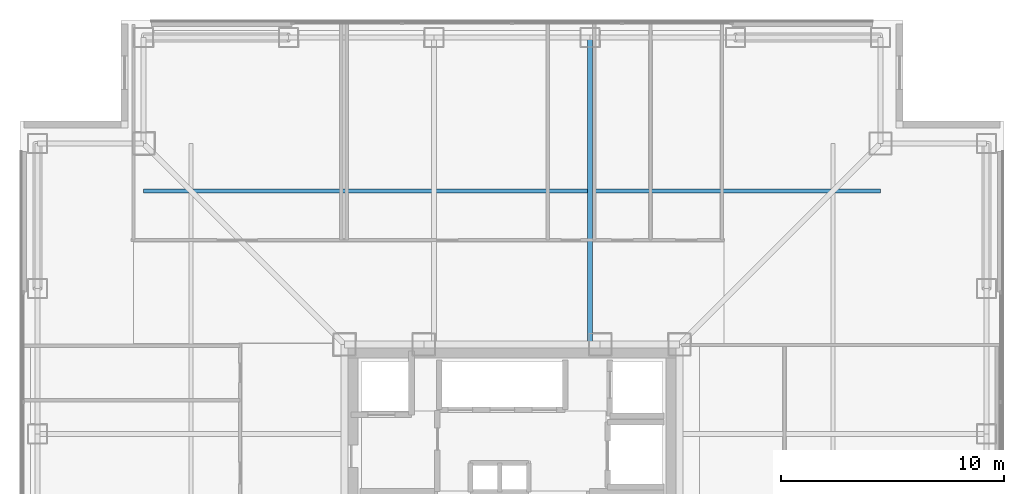
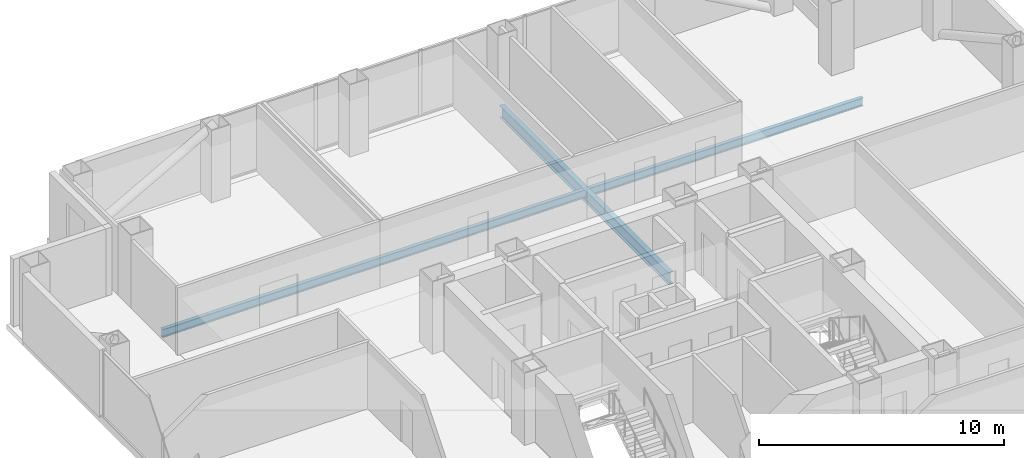
# One storey, part 9 of 16: 2 beams.
"""IFC4 building model written with IfcOpenShell, lengths in metres."""

from ifc_helpers import new_model, si_unit, direction, frame, origin, origin_2d, place, context, subcontext, project, spatial, i_section, extrude, material, material_profile, profile_set, type_object, element, save


model = new_model("IFC4")

# Units and contexts
model_context = context("Model", 3, precision=1e-05, world=origin(), true_north=direction((0.0, 1.0)))
body_context = subcontext(model_context, "Body", "Model", "MODEL_VIEW")
ifc_project = project(units=[si_unit("LENGTHUNIT", "METRE"), si_unit("AREAUNIT", "SQUARE_METRE"), si_unit("VOLUMEUNIT", "CUBIC_METRE"), si_unit("PLANEANGLEUNIT", "RADIAN"), si_unit("MASSUNIT", "GRAM", prefix="KILO")], contexts=[model_context])

# Site, building, storey
site_placement = place(None, origin())
site = spatial("IfcSite", under=ifc_project, at=site_placement, CompositionType="ELEMENT")
building_placement = place(site_placement, origin())
building = spatial("IfcBuilding", under=site, at=building_placement, Name="Trevonay Congress Spire", CompositionType="ELEMENT")
storey_placement = place(building_placement, frame((0.0, 0.0, 101.199951171875)))
storey = spatial("IfcBuildingStorey", under=building, at=storey_placement, Name="L25", CompositionType="ELEMENT", Elevation=101.199951171875)

# Beams
ifc_material = material(Name="Steel ASTM A572 Grade 50", Category="steel")
ifc_material_profile_1 = material_profile(ifc_material, i_section(OverallWidth=0.22998046875, OverallDepth=0.616943359375, WebThickness=0.01318359375, FlangeThickness=0.022216796875, FilletRadius=0.01611328125, at=origin_2d()), Name="W610x140")
ifc_profile_set_1 = profile_set([ifc_material_profile_1], Name="Steel ASTM A572 Grade 50")
beam_type_1 = type_object("IfcBeamType", Name="BM-GIRD-W610X140", PredefinedType="BEAM", material=ifc_profile_set_1)
beam_1_placement = place(storey_placement, frame((3.5, 7.5, -0.54833984375), z_axis=(0.0, 1.0, 0.0), x_axis=(-1.0, 0.0, 0.0)))
element("IfcBeam", 1, at=beam_1_placement, inside=storey, type_object=beam_type_1, Name="L25 structural beam BM-L25-GN-P", PredefinedType="BEAM", context=body_context, shape_type="SweptSolid", body=[
    extrude(i_section(OverallWidth=0.22998046875, OverallDepth=0.616943359375, WebThickness=0.01318359375, FlangeThickness=0.022216796875, FilletRadius=0.01611328125, at=origin_2d()), origin(), (0.0, 0.0, 1.0), 13.75),
])
ifc_material_profile_2 = material_profile(ifc_material, i_section(OverallWidth=0.177978515625, OverallDepth=0.406982421875, WebThickness=0.0078125, FlangeThickness=0.0126953125, FilletRadius=0.012939453125, at=origin_2d()), Name="W410x60")
ifc_profile_set_2 = profile_set([ifc_material_profile_2], Name="Steel ASTM A572 Grade 50")
beam_type_2 = type_object("IfcBeamType", Name="JS-COMP-W410X60", PredefinedType="JOIST", material=ifc_profile_set_2)
beam_2_placement = place(storey_placement, frame((-16.5, 14.375, -0.443359375), z_axis=(1.0, 0.0, 0.0), x_axis=(0.0, 1.0, 0.0)))
element("IfcBeam", 2, at=beam_2_placement, inside=storey, type_object=beam_type_2, Name="L25 structural beam JS-L25-RING-N", PredefinedType="JOIST", context=body_context, shape_type="SweptSolid", body=[
    extrude(i_section(OverallWidth=0.177978515625, OverallDepth=0.406982421875, WebThickness=0.0078125, FlangeThickness=0.0126953125, FilletRadius=0.012939453125, at=origin_2d()), origin(), (0.0, 0.0, 1.0), 33.0),
])

save(model, "model.ifc")
